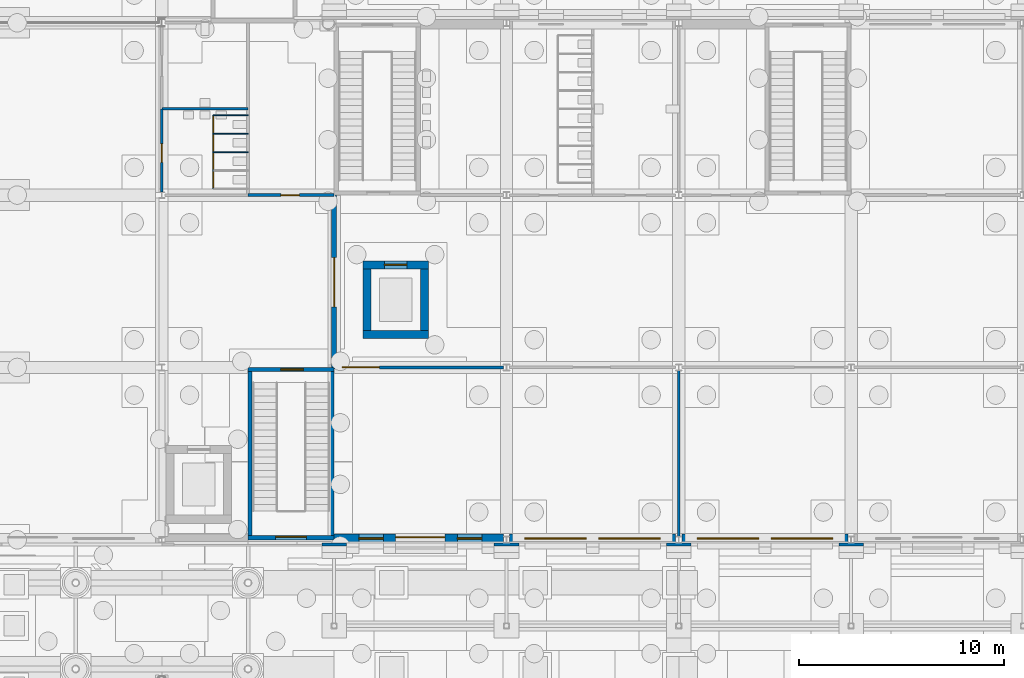
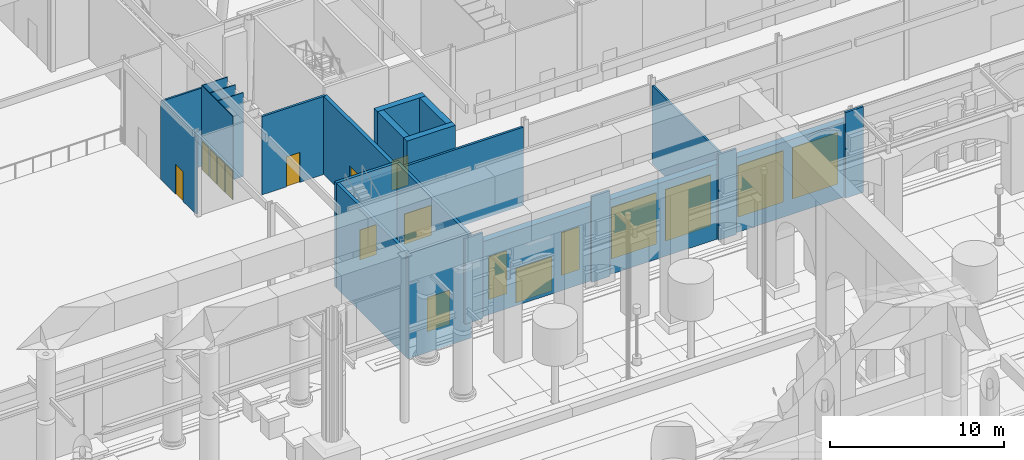
# One storey, part 91 of 222: 25 walls, 12 doors, 6 windows, 18 openings.
"""IFC4 building model written with IfcOpenShell, lengths in metres."""

from ifc_helpers import new_model, si_unit, direction, frame, frame_2d, origin, place, context, subcontext, project, spatial, rectangle, extrude, material, layer, layer_set, type_object, element, fill, save


model = new_model("IFC4")

# Units and contexts
model_context = context("Model", 3, precision=1e-05, world=origin(), true_north=direction((0.0, 1.0)))
body_context = subcontext(model_context, "Body", "Model", "MODEL_VIEW")
ifc_project = project(units=[si_unit("LENGTHUNIT", "METRE"), si_unit("AREAUNIT", "SQUARE_METRE"), si_unit("VOLUMEUNIT", "CUBIC_METRE"), si_unit("PLANEANGLEUNIT", "RADIAN"), si_unit("MASSUNIT", "GRAM", prefix="KILO")], contexts=[model_context])

# Site, building, storey
site_placement = place(None, origin())
site = spatial("IfcSite", under=ifc_project, at=site_placement, CompositionType="ELEMENT")
building_placement = place(site_placement, origin())
building = spatial("IfcBuilding", under=site, at=building_placement, Name="Sava Quay Ferry Terminal", CompositionType="ELEMENT")
storey_placement = place(building_placement, origin())
storey = spatial("IfcBuildingStorey", under=building, at=storey_placement, Name="L00", CompositionType="ELEMENT", Elevation=0.0)

# Wall, opening, door
ifc_material_1 = material(Name="Concrete C30/37", Category="concrete")
ifc_layer_1 = layer(ifc_material_1, 0.25)
ifc_layer_set_1 = layer_set([ifc_layer_1], Name="Concrete C30/37")
wall_type_1 = type_object("IfcWallType", Name="Compartment wall, reinforced concrete 250", PredefinedType="PARTITIONING", material=ifc_layer_set_1)
wall_1_placement = place(storey_placement, frame((84.0, 33.60009765625, 0.0), z_axis=(0.0, 0.0, 1.0), x_axis=(0.0, 1.0, 0.0)))
wall_1 = element("IfcWall", 1, at=wall_1_placement, inside=storey, type_object=wall_type_1, Name="Compartment wall, reinforced concrete 250", PredefinedType="PARTITIONING", context=body_context, shape_type="SweptSolid", body=[
    extrude(rectangle(XDim=8.39990234375, YDim=0.25, at=frame_2d((4.199951171875, 0.0))), origin(), (0.0, 0.0, 1.0), 5.47998046875),
])
opening_1_placement = place(wall_1_placement, frame((2.949951171875, 0.0, 0.0)))
opening_1 = element("IfcOpeningElement", 2, at=opening_1_placement, cuts=wall_1, Name="Opening DP0002", PredefinedType="OPENING", context=body_context, shape_type="SweptSolid", body=[
    extrude(rectangle(XDim=2.39990234375, YDim=2.39990234375, at=frame_2d((1.199951171875, 1.199951171875))), frame((0.0, 0.125, 0.0), z_axis=(0.0, -1.0, 0.0), x_axis=(1.0, 0.0, 0.0)), (0.0, 0.0, 1.0), 0.25),
])
ifc_material_2 = material(Name="Steel fire door set", Category="steel")
door_type_1 = type_object("IfcDoorType", Name="Compartment fire door set EI 90 2400 x 2400", OperationType="NOTDEFINED", PredefinedType="DOOR", material=ifc_material_2)
door_1_placement = place(opening_1_placement, origin())
door_1 = element("IfcDoor", 3, at=door_1_placement, inside=storey, type_object=door_type_1, Name="Door DP0002", OperationType="DOUBLE_DOOR_DOUBLE_SWING", OverallHeight=2.39990234375, OverallWidth=2.39990234375, PredefinedType="DOOR", context=body_context, shape_type="SweptSolid", body=[
    extrude(rectangle(XDim=2.39990234375, YDim=2.39990234375, at=frame_2d((1.199951171875, 1.199951171875))), frame((0.0, 0.02490234375, 0.0), z_axis=(0.0, -1.0, 0.0), x_axis=(1.0, 0.0, 0.0)), (0.0, 0.0, 1.0), 0.050048828125),
])
fill(opening_1, door_1)

# Wall, openings, doors
ifc_material_3 = material(Name="High-pressure laminate panel")
ifc_layer_2 = layer(ifc_material_3, 0.050048828125)
ifc_layer_set_2 = layer_set([ifc_layer_2], Name="High-pressure laminate panel")
wall_type_2 = type_object("IfcWallType", Name="Cubicle partition 50", PredefinedType="PARTITIONING", material=ifc_layer_set_2)
wall_2_placement = place(storey_placement, frame((78.10009765625, 42.300048828125, 0.0), z_axis=(0.0, 0.0, 1.0), x_axis=(0.0, 1.0, 0.0)))
wall_2 = element("IfcWall", 4, at=wall_2_placement, inside=storey, type_object=wall_type_2, Name="Cubicle partition panel", PredefinedType="PARTITIONING", context=body_context, shape_type="SweptSolid", body=[
    extrude(rectangle(XDim=3.599853515625, YDim=0.050048828125, at=frame_2d((1.7998046875, 0.0))), origin(), (0.0, 0.0, 1.0), 5.8701171875),
])
opening_2_placement = place(wall_2_placement, frame((0.050048828125, 0.0, 0.0)))
opening_2 = element("IfcOpeningElement", 5, at=opening_2_placement, cuts=wall_2, Name="Opening CD001", PredefinedType="OPENING", context=body_context, shape_type="SweptSolid", body=[
    extrude(rectangle(XDim=0.800048828125, YDim=2.0, at=frame_2d((0.39990234375, 1.0))), frame((0.0, 0.02490234375, 0.0), z_axis=(0.0, -1.0, 0.0), x_axis=(1.0, 0.0, 0.0)), (0.0, 0.0, 1.0), 0.050048828125),
])
opening_3_placement = place(wall_2_placement, frame((0.949951171875, 0.0, 0.0)))
opening_3 = element("IfcOpeningElement", 6, at=opening_3_placement, cuts=wall_2, Name="Opening CD002", PredefinedType="OPENING", context=body_context, shape_type="SweptSolid", body=[
    extrude(rectangle(XDim=0.800048828125, YDim=2.0, at=frame_2d((0.39990234375, 1.0))), frame((0.0, 0.02490234375, 0.0), z_axis=(0.0, -1.0, 0.0), x_axis=(1.0, 0.0, 0.0)), (0.0, 0.0, 1.0), 0.050048828125),
])
opening_4_placement = place(wall_2_placement, frame((1.85009765625, 0.0, 0.0)))
opening_4 = element("IfcOpeningElement", 7, at=opening_4_placement, cuts=wall_2, Name="Opening CD003", PredefinedType="OPENING", context=body_context, shape_type="SweptSolid", body=[
    extrude(rectangle(XDim=0.800048828125, YDim=2.0, at=frame_2d((0.39990234375, 1.0))), frame((0.0, 0.02490234375, 0.0), z_axis=(0.0, -1.0, 0.0), x_axis=(1.0, 0.0, 0.0)), (0.0, 0.0, 1.0), 0.050048828125),
])
opening_5_placement = place(wall_2_placement, frame((2.75, 0.0, 0.0)))
opening_5 = element("IfcOpeningElement", 8, at=opening_5_placement, cuts=wall_2, Name="Opening CD004", PredefinedType="OPENING", context=body_context, shape_type="SweptSolid", body=[
    extrude(rectangle(XDim=0.800048828125, YDim=2.0, at=frame_2d((0.39990234375, 1.0))), frame((0.0, 0.02490234375, 0.0), z_axis=(0.0, -1.0, 0.0), x_axis=(1.0, 0.0, 0.0)), (0.0, 0.0, 1.0), 0.050048828125),
])
ifc_material_4 = material(Name="Laminate door set")
door_type_2 = type_object("IfcDoorType", Name="Cubicle door 800 x 2000", OperationType="NOTDEFINED", PredefinedType="DOOR", material=ifc_material_4)
door_2_placement = place(opening_2_placement, origin())
door_2 = element("IfcDoor", 9, at=door_2_placement, inside=storey, type_object=door_type_2, Name="Cubicle door", OperationType="SINGLE_SWING_RIGHT", OverallHeight=2.0, OverallWidth=0.800048828125, PredefinedType="DOOR", context=body_context, shape_type="SweptSolid", body=[
    extrude(rectangle(XDim=0.800048828125, YDim=2.0, at=frame_2d((0.39990234375, 1.0))), frame((0.0, 0.02490234375, 0.0), z_axis=(0.0, -1.0, 0.0), x_axis=(1.0, 0.0, 0.0)), (0.0, 0.0, 1.0), 0.049560546875),
])
fill(opening_2, door_2)
door_3_placement = place(opening_3_placement, origin())
door_3 = element("IfcDoor", 10, at=door_3_placement, inside=storey, type_object=door_type_2, Name="Cubicle door", OperationType="SINGLE_SWING_LEFT", OverallHeight=2.0, OverallWidth=0.800048828125, PredefinedType="DOOR", context=body_context, shape_type="SweptSolid", body=[
    extrude(rectangle(XDim=0.800048828125, YDim=2.0, at=frame_2d((0.39990234375, 1.0))), frame((0.0, 0.02490234375, 0.0), z_axis=(0.0, -1.0, 0.0), x_axis=(1.0, 0.0, 0.0)), (0.0, 0.0, 1.0), 0.049560546875),
])
fill(opening_3, door_3)
door_4_placement = place(opening_4_placement, origin())
door_4 = element("IfcDoor", 11, at=door_4_placement, inside=storey, type_object=door_type_2, Name="Cubicle door", OperationType="SINGLE_SWING_RIGHT", OverallHeight=2.0, OverallWidth=0.800048828125, PredefinedType="DOOR", context=body_context, shape_type="SweptSolid", body=[
    extrude(rectangle(XDim=0.800048828125, YDim=2.0, at=frame_2d((0.39990234375, 1.0))), frame((0.0, 0.02490234375, 0.0), z_axis=(0.0, -1.0, 0.0), x_axis=(1.0, 0.0, 0.0)), (0.0, 0.0, 1.0), 0.049560546875),
])
fill(opening_4, door_4)
door_5_placement = place(opening_5_placement, origin())
door_5 = element("IfcDoor", 12, at=door_5_placement, inside=storey, type_object=door_type_2, Name="Cubicle door", OperationType="SINGLE_SWING_LEFT", OverallHeight=2.0, OverallWidth=0.800048828125, PredefinedType="DOOR", context=body_context, shape_type="SweptSolid", body=[
    extrude(rectangle(XDim=0.800048828125, YDim=2.0, at=frame_2d((0.39990234375, 1.0))), frame((0.0, 0.02490234375, 0.0), z_axis=(0.0, -1.0, 0.0), x_axis=(1.0, 0.0, 0.0)), (0.0, 0.0, 1.0), 0.049560546875),
])
fill(opening_5, door_5)

# Walls
for number, where, z_axis, x_axis, name in (
    (13, (79.800048828125, 44.10009765625, 0.0), (0.0, 0.0, 1.0), (-1.0, 0.0, 0.0), "Cubicle partition panel"),
    (14, (79.800048828125, 45.0, 0.0), (0.0, 0.0, 1.0), (-1.0, 0.0, 0.0), "Cubicle partition panel"),
    (15, (79.800048828125, 45.89990234375, 0.0), (0.0, 0.0, 1.0), (-1.0, 0.0, 0.0), "Cubicle partition panel"),
):
    element("IfcWall", number, at=place(storey_placement, frame(where, z_axis=z_axis, x_axis=x_axis)), inside=storey, type_object=wall_type_2, Name=name, PredefinedType="PARTITIONING", context=body_context, shape_type="SweptSolid", body=[
        extrude(rectangle(XDim=1.699951171875, YDim=0.050048828125, at=frame_2d((0.85009765625, 0.0))), origin(), (0.0, 0.0, 1.0), 5.8701171875),
    ])
ifc_material_5 = material(Name="Limestone Mutalj", Category="masonry")
ifc_layer_3 = layer(ifc_material_5, 0.14990234375)
ifc_layer_set_3 = layer_set([ifc_layer_3], Name="Limestone Mutalj")
wall_type_3 = type_object("IfcWallType", Name="Pier cladding 150", PredefinedType="SOLIDWALL", material=ifc_layer_set_3)
wall_3_placement = place(storey_placement, frame((83.39990234375, 24.965087890625, 0.0), z_axis=(0.0, 0.0, 1.0), x_axis=(1.0, 0.0, 0.0)))
element("IfcWall", 16, at=wall_3_placement, inside=storey, type_object=wall_type_3, Name="Pier P-S grid 84", PredefinedType="SOLIDWALL", context=body_context, shape_type="SweptSolid", body=[
    extrude(rectangle(XDim=1.2001953125, YDim=0.14990234375, at=frame_2d((0.60009765625, 0.0))), origin(), (0.0, 0.0, 1.0), 6.0),
])
for number, where, z_axis, x_axis, name in (
    (17, (91.800048828125, 24.965087890625, 0.0), (0.0, 0.0, 1.0), (1.0, 0.0, 0.0), "Pier P-S grid 92.4"),
    (18, (100.199951171875, 24.965087890625, 0.0), (0.0, 0.0, 1.0), (1.0, 0.0, 0.0), "Pier P-S grid 100.8"),
    (19, (108.60009765625, 24.965087890625, 0.0), (0.0, 0.0, 1.0), (1.0, 0.0, 0.0), "Pier P-S grid 109.2"),
):
    element("IfcWall", number, at=place(storey_placement, frame(where, z_axis=z_axis, x_axis=x_axis)), inside=storey, type_object=wall_type_3, Name=name, PredefinedType="SOLIDWALL", context=body_context, shape_type="SweptSolid", body=[
        extrude(rectangle(XDim=1.199951171875, YDim=0.14990234375, at=frame_2d((0.60009765625, 0.0))), origin(), (0.0, 0.0, 1.0), 6.0),
    ])

# Wall, opening, door
ifc_material_6 = material(Name="Masonry blockwork", Category="masonry")
ifc_layer_4 = layer(ifc_material_6, 0.14990234375)
ifc_layer_set_4 = layer_set([ifc_layer_4], Name="Masonry blockwork")
wall_type_4 = type_object("IfcWallType", Name="Plant, store and lobby wall, blockwork 150", PredefinedType="PARTITIONING", material=ifc_layer_set_4)
wall_4_placement = place(storey_placement, frame((79.800048828125, 42.0, 0.0), z_axis=(0.0, 0.0, 1.0), x_axis=(1.0, 0.0, 0.0)))
wall_4 = element("IfcWall", 20, at=wall_4_placement, inside=storey, type_object=wall_type_4, Name="Plant, store and lobby wall, blockwork 150", PredefinedType="PARTITIONING", context=body_context, shape_type="SweptSolid", body=[
    extrude(rectangle(XDim=4.199951171875, YDim=0.14990234375, at=frame_2d((2.10009765625, 0.0))), origin(), (0.0, 0.0, 1.0), 5.47998046875),
])
opening_6_placement = place(wall_4_placement, frame((1.60009765625, 0.0, 0.0)))
opening_6 = element("IfcOpeningElement", 21, at=opening_6_placement, cuts=wall_4, Name="Opening D0004", PredefinedType="OPENING", context=body_context, shape_type="SweptSolid", body=[
    extrude(rectangle(XDim=0.89990234375, YDim=2.10009765625, at=frame_2d((0.449951171875, 1.050048828125))), frame((0.0, 0.074951171875, 0.0), z_axis=(0.0, -1.0, 0.0), x_axis=(1.0, 0.0, 0.0)), (0.0, 0.0, 1.0), 0.14990234375),
])
ifc_material_7 = material(Name="Timber door set", Category="wood")
door_type_3 = type_object("IfcDoorType", Name="Single door 900 x 2100", OperationType="NOTDEFINED", PredefinedType="DOOR", material=ifc_material_7)
door_6_placement = place(opening_6_placement, origin())
door_6 = element("IfcDoor", 22, at=door_6_placement, inside=storey, type_object=door_type_3, Name="Door D0004", OperationType="SINGLE_SWING_LEFT", OverallHeight=2.10009765625, OverallWidth=0.89990234375, PredefinedType="DOOR", context=body_context, shape_type="SweptSolid", body=[
    extrude(rectangle(XDim=0.89990234375, YDim=2.10009765625, at=frame_2d((0.449951171875, 1.050048828125))), frame((0.0, 0.02490234375, 0.0), z_axis=(0.0, -1.0, 0.0), x_axis=(1.0, 0.0, 0.0)), (0.0, 0.0, 1.0), 0.050048828125),
])
fill(opening_6, door_6)

wall_5_placement = place(storey_placement, frame((84.0, 33.60009765625, 0.0), z_axis=(0.0, 0.0, 1.0), x_axis=(1.0, 0.0, 0.0)))
wall_5 = element("IfcWall", 23, at=wall_5_placement, inside=storey, type_object=wall_type_4, Name="Plant, store and lobby wall, blockwork 150", PredefinedType="PARTITIONING", context=body_context, shape_type="SweptSolid", body=[
    extrude(rectangle(XDim=8.25, YDim=0.14990234375, at=frame_2d((4.125, 0.0))), origin(), (0.0, 0.0, 1.0), 5.47998046875),
])
opening_7_placement = place(wall_5_placement, frame((0.39990234375, 0.0, 0.0)))
opening_7 = element("IfcOpeningElement", 24, at=opening_7_placement, cuts=wall_5, Name="Opening D0011", PredefinedType="OPENING", context=body_context, shape_type="SweptSolid", body=[
    extrude(rectangle(XDim=1.800048828125, YDim=2.10009765625, at=frame_2d((0.89990234375, 1.050048828125))), frame((0.0, 0.074951171875, 0.0), z_axis=(0.0, -1.0, 0.0), x_axis=(1.0, 0.0, 0.0)), (0.0, 0.0, 1.0), 0.14990234375),
])
ifc_material_8 = material(Name="Timber door set", Category="wood")
door_type_4 = type_object("IfcDoorType", Name="Double door 1800 x 2100", OperationType="NOTDEFINED", PredefinedType="DOOR", material=ifc_material_8)
door_7_placement = place(opening_7_placement, origin())
door_7 = element("IfcDoor", 25, at=door_7_placement, inside=storey, type_object=door_type_4, Name="Door D0011", OperationType="DOUBLE_DOOR_DOUBLE_SWING", OverallHeight=2.10009765625, OverallWidth=1.800048828125, PredefinedType="DOOR", context=body_context, shape_type="SweptSolid", body=[
    extrude(rectangle(XDim=1.800048828125, YDim=2.10009765625, at=frame_2d((0.89990234375, 1.050048828125))), frame((0.0, 0.02490234375, 0.0), z_axis=(0.0, -1.0, 0.0), x_axis=(1.0, 0.0, 0.0)), (0.0, 0.0, 1.0), 0.050048828125),
])
fill(opening_7, door_7)

ifc_material_9 = material(Name="Concrete C35/45", Category="concrete")
ifc_layer_5 = layer(ifc_material_9, 0.199951171875)
ifc_layer_set_5 = layer_set([ifc_layer_5], Name="Concrete C35/45")
wall_type_5 = type_object("IfcWallType", Name="RC core wall 200", PredefinedType="SHEAR", material=ifc_layer_set_5)
wall_6_placement = place(storey_placement, frame((79.800048828125, 25.300048828125, -1.35009765625), z_axis=(0.0, 0.0, 1.0), x_axis=(1.0, 0.0, 0.0)))
wall_6 = element("IfcWall", 26, at=wall_6_placement, inside=storey, type_object=wall_type_5, Name="Core wall ST-A2 S L00", PredefinedType="SHEAR", context=body_context, shape_type="SweptSolid", body=[
    extrude(rectangle(XDim=4.199951171875, YDim=0.199951171875, at=frame_2d((2.10009765625, 0.0))), origin(), (0.0, 0.0, 1.0), 7.35009765625),
])
opening_8_placement = place(wall_6_placement, frame((1.35009765625, 0.0, 1.35009765625)))
opening_8 = element("IfcOpeningElement", 27, at=opening_8_placement, cuts=wall_6, Name="Opening DX-A5", PredefinedType="OPENING", context=body_context, shape_type="SweptSolid", body=[
    extrude(rectangle(XDim=1.5, YDim=2.39990234375, at=frame_2d((0.75, 1.199951171875))), frame((0.0, 0.10009765625, 0.0), z_axis=(0.0, -1.0, 0.0), x_axis=(1.0, 0.0, 0.0)), (0.0, 0.0, 1.0), 0.199951171875),
])
ifc_material_10 = material(Name="Aluminium bronze anodised, glazing safety laminated", Category="aluminium")
door_type_5 = type_object("IfcDoorType", Name="Exit door 1500x2400", OperationType="DOUBLE_DOOR_SINGLE_SWING", PredefinedType="DOOR", material=ifc_material_10)
door_8_placement = place(opening_8_placement, frame((1.5, 0.050048828125, 0.0), z_axis=(0.0, 0.0, 1.0), x_axis=(-1.0, 0.0, 0.0)))
door_8 = element("IfcDoor", 28, at=door_8_placement, inside=storey, type_object=door_type_5, Name="Door DX-A5", OperationType="DOUBLE_DOOR_SINGLE_SWING", OverallHeight=2.39990234375, OverallWidth=1.5, PredefinedType="DOOR", context=body_context, shape_type="SweptSolid", body=[
    extrude(rectangle(XDim=1.5, YDim=2.39990234375, at=frame_2d((0.75, 1.199951171875))), frame((0.0, 0.02490234375, 0.0), z_axis=(0.0, -1.0, 0.0), x_axis=(1.0, 0.0, 0.0)), (0.0, 0.0, 1.0), 0.050048828125),
])
fill(opening_8, door_8)

wall_7_placement = place(storey_placement, frame((79.800048828125, 33.5, -1.35009765625), z_axis=(0.0, 0.0, 1.0), x_axis=(1.0, 0.0, 0.0)))
wall_7 = element("IfcWall", 29, at=wall_7_placement, inside=storey, type_object=wall_type_5, Name="Core wall ST-A2 N L00", PredefinedType="SHEAR", context=body_context, shape_type="SweptSolid", body=[
    extrude(rectangle(XDim=4.199951171875, YDim=0.199951171875, at=frame_2d((2.10009765625, 0.0))), origin(), (0.0, 0.0, 1.0), 7.35009765625),
])
opening_9_placement = place(wall_7_placement, frame((1.60009765625, 0.0, 1.35009765625)))
opening_9 = element("IfcOpeningElement", 30, at=opening_9_placement, cuts=wall_7, Name="Opening DS0002", PredefinedType="OPENING", context=body_context, shape_type="SweptSolid", body=[
    extrude(rectangle(XDim=1.10009765625, YDim=2.10009765625, at=frame_2d((0.550048828125, 1.050048828125))), frame((0.0, 0.10009765625, 0.0), z_axis=(0.0, -1.0, 0.0), x_axis=(1.0, 0.0, 0.0)), (0.0, 0.0, 1.0), 0.199951171875),
])
ifc_material_11 = material(Name="Steel fire door set", Category="steel")
door_type_6 = type_object("IfcDoorType", Name="Stair fire door 1100 x 2100", OperationType="NOTDEFINED", PredefinedType="DOOR", material=ifc_material_11)
door_9_placement = place(opening_9_placement, origin())
door_9 = element("IfcDoor", 31, at=door_9_placement, inside=storey, type_object=door_type_6, Name="Door DS0002", OperationType="SINGLE_SWING_RIGHT", OverallHeight=2.10009765625, OverallWidth=1.10009765625, PredefinedType="DOOR", context=body_context, shape_type="SweptSolid", body=[
    extrude(rectangle(XDim=1.10009765625, YDim=2.10009765625, at=frame_2d((0.550048828125, 1.050048828125))), frame((0.0, 0.02490234375, 0.0), z_axis=(0.0, -1.0, 0.0), x_axis=(1.0, 0.0, 0.0)), (0.0, 0.0, 1.0), 0.050048828125),
])
fill(opening_9, door_9)

# Walls
for number, where, z_axis, x_axis, name in (
    (32, (79.89990234375, 25.39990234375, -1.35009765625), (0.0, 0.0, 1.0), (0.0, 1.0, 0.0), "Core wall ST-A2 W L00"),
    (33, (83.89990234375, 25.39990234375, -1.35009765625), (0.0, 0.0, 1.0), (0.0, 1.0, 0.0), "Core wall ST-A2 E L00"),
):
    element("IfcWall", number, at=place(storey_placement, frame(where, z_axis=z_axis, x_axis=x_axis)), inside=storey, type_object=wall_type_5, Name=name, PredefinedType="SHEAR", context=body_context, shape_type="SweptSolid", body=[
        extrude(rectangle(XDim=8.0, YDim=0.199951171875, at=frame_2d((4.0, 0.0))), origin(), (0.0, 0.0, 1.0), 7.35009765625),
    ])
ifc_material_12 = material(Name="Concrete C35/45", Category="concrete")
ifc_layer_6 = layer(ifc_material_12, 0.39990234375)
ifc_layer_set_6 = layer_set([ifc_layer_6], Name="Concrete C35/45")
wall_type_6 = type_object("IfcWallType", Name="RC core wall 400", PredefinedType="SHEAR", material=ifc_layer_set_6)
wall_8_placement = place(storey_placement, frame((85.39990234375, 35.199951171875, -1.35009765625), z_axis=(0.0, 0.0, 1.0), x_axis=(1.0, 0.0, 0.0)))
element("IfcWall", 34, at=wall_8_placement, inside=storey, type_object=wall_type_6, Name="Core wall LF-P1 S L00", PredefinedType="SHEAR", context=body_context, shape_type="SweptSolid", body=[
    extrude(rectangle(XDim=3.2001953125, YDim=0.39990234375, at=frame_2d((1.60009765625, 0.0))), origin(), (0.0, 0.0, 1.0), 7.35009765625),
])

# Wall, opening, door
wall_9_placement = place(storey_placement, frame((85.39990234375, 38.60009765625, -1.35009765625), z_axis=(0.0, 0.0, 1.0), x_axis=(1.0, 0.0, 0.0)))
wall_9 = element("IfcWall", 35, at=wall_9_placement, inside=storey, type_object=wall_type_6, Name="Core wall LF-P1 N L00", PredefinedType="SHEAR", context=body_context, shape_type="SweptSolid", body=[
    extrude(rectangle(XDim=3.2001953125, YDim=0.39990234375, at=frame_2d((1.60009765625, 0.0))), origin(), (0.0, 0.0, 1.0), 7.35009765625),
])
opening_10_placement = place(wall_9_placement, frame((1.050048828125, 0.0, 1.35009765625)))
opening_10 = element("IfcOpeningElement", 36, at=opening_10_placement, cuts=wall_9, Name="Opening LD0005", PredefinedType="OPENING", context=body_context, shape_type="SweptSolid", body=[
    extrude(rectangle(XDim=1.10009765625, YDim=2.10009765625, at=frame_2d((0.550048828125, 1.050048828125))), frame((0.0, 0.199951171875, 0.0), z_axis=(0.0, -1.0, 0.0), x_axis=(1.0, 0.0, 0.0)), (0.0, 0.0, 1.0), 0.39990234375),
])
ifc_material_13 = material(Name="Stainless steel", Category="steel")
door_type_7 = type_object("IfcDoorType", Name="Lift landing door 1100 x 2100", OperationType="NOTDEFINED", PredefinedType="DOOR", material=ifc_material_13)
door_10_placement = place(opening_10_placement, origin())
door_10 = element("IfcDoor", 37, at=door_10_placement, inside=storey, type_object=door_type_7, Name="Door LD0005", OperationType="SLIDING_TO_LEFT", OverallHeight=2.10009765625, OverallWidth=1.10009765625, PredefinedType="DOOR", context=body_context, shape_type="SweptSolid", body=[
    extrude(rectangle(XDim=1.10009765625, YDim=2.10009765625, at=frame_2d((0.550048828125, 1.050048828125))), frame((0.0, 0.02490234375, 0.0), z_axis=(0.0, -1.0, 0.0), x_axis=(1.0, 0.0, 0.0)), (0.0, 0.0, 1.0), 0.050048828125),
])
fill(opening_10, door_10)

# Walls
for number, where, z_axis, x_axis, name in (
    (38, (85.60009765625, 35.39990234375, -1.35009765625), (0.0, 0.0, 1.0), (0.0, 1.0, 0.0), "Core wall LF-P1 W L00"),
    (39, (88.39990234375, 35.39990234375, -1.35009765625), (0.0, 0.0, 1.0), (0.0, 1.0, 0.0), "Core wall LF-P1 E L00"),
):
    element("IfcWall", number, at=place(storey_placement, frame(where, z_axis=z_axis, x_axis=x_axis)), inside=storey, type_object=wall_type_6, Name=name, PredefinedType="SHEAR", context=body_context, shape_type="SweptSolid", body=[
        extrude(rectangle(XDim=3.0, YDim=0.39990234375, at=frame_2d((1.5, 0.0))), origin(), (0.0, 0.0, 1.0), 7.35009765625),
    ])
ifc_material_14 = material(Name="Plasterboard on steel studs", Category="steel")
ifc_layer_7 = layer(ifc_material_14, 0.125)
ifc_layer_set_7 = layer_set([ifc_layer_7], Name="Plasterboard on steel studs")
wall_type_7 = type_object("IfcWallType", Name="Room partition, plasterboard on steel studs 125", PredefinedType="PARTITIONING", material=ifc_layer_set_7)
wall_10_placement = place(storey_placement, frame((100.800048828125, 25.360107421875, 0.0), z_axis=(0.0, 0.0, 1.0), x_axis=(0.0, 1.0, 0.0)))
element("IfcWall", 40, at=wall_10_placement, inside=storey, type_object=wall_type_7, Name="Room partition, plasterboard on steel studs 125", PredefinedType="PARTITIONING", context=body_context, shape_type="SweptSolid", body=[
    extrude(rectangle(XDim=8.079833984375, YDim=0.125, at=frame_2d((4.0400390625, 0.0))), origin(), (0.0, 0.0, 1.0), 5.47998046875),
])

# Wall, openings, door, windows
ifc_material_15 = material(Name="Limestone Mutalj", Category="masonry")
ifc_layer_8 = layer(ifc_material_15, 0.449951171875)
ifc_layer_set_8 = layer_set([ifc_layer_8], Name="Limestone Mutalj")
wall_type_8 = type_object("IfcWallType", Name="Rusticated limestone infill 450", PredefinedType="SOLIDWALL", material=ifc_layer_set_8)
wall_11_placement = place(storey_placement, frame((84.0, 25.264892578125, 0.0), z_axis=(0.0, 0.0, 1.0), x_axis=(1.0, 0.0, 0.0)))
wall_11 = element("IfcWall", 41, at=wall_11_placement, inside=storey, type_object=wall_type_8, Name="External wall P-S", PredefinedType="SOLIDWALL", context=body_context, shape_type="SweptSolid", body=[
    extrude(rectangle(XDim=8.25, YDim=0.449951171875, at=frame_2d((4.125, 0.0))), origin(), (0.0, 0.0, 1.0), 5.25),
])
opening_11_placement = place(wall_11_placement, frame((3.0, 0.0, 0.0)))
opening_11 = element("IfcOpeningElement", 42, at=opening_11_placement, cuts=wall_11, Name="Opening DX-P1", PredefinedType="OPENING", context=body_context, shape_type="SweptSolid", body=[
    extrude(rectangle(XDim=2.39990234375, YDim=2.39990234375, at=frame_2d((1.199951171875, 1.199951171875))), frame((0.0, 0.22509765625, 0.0), z_axis=(0.0, -1.0, 0.0), x_axis=(1.0, 0.0, 0.0)), (0.0, 0.0, 1.0), 0.449951171875),
])
opening_12_placement = place(wall_11_placement, frame((1.199951171875, 0.0, 0.89990234375)))
opening_12 = element("IfcOpeningElement", 43, at=opening_12_placement, cuts=wall_11, Name="Opening W-E1", PredefinedType="OPENING", context=body_context, shape_type="SweptSolid", body=[
    extrude(rectangle(XDim=1.199951171875, YDim=3.0, at=frame_2d((0.60009765625, 1.5))), frame((0.0, 0.22509765625, 0.0), z_axis=(0.0, -1.0, 0.0), x_axis=(1.0, 0.0, 0.0)), (0.0, 0.0, 1.0), 0.449951171875),
])
opening_13_placement = place(wall_11_placement, frame((6.0, 0.0, 0.89990234375)))
opening_13 = element("IfcOpeningElement", 44, at=opening_13_placement, cuts=wall_11, Name="Opening W-E1", PredefinedType="OPENING", context=body_context, shape_type="SweptSolid", body=[
    extrude(rectangle(XDim=1.199951171875, YDim=3.0, at=frame_2d((0.60009765625, 1.5))), frame((0.0, 0.22509765625, 0.0), z_axis=(0.0, -1.0, 0.0), x_axis=(1.0, 0.0, 0.0)), (0.0, 0.0, 1.0), 0.449951171875),
])
ifc_material_16 = material(Name="Aluminium bronze anodised, glazing safety laminated", Category="aluminium")
door_type_8 = type_object("IfcDoorType", Name="Entrance double door 2400x2400", OperationType="DOUBLE_DOOR_SINGLE_SWING", PredefinedType="DOOR", material=ifc_material_16)
door_11_placement = place(opening_11_placement, frame((2.39990234375, 0.050048828125, 0.0), z_axis=(0.0, 0.0, 1.0), x_axis=(-1.0, 0.0, 0.0)))
door_11 = element("IfcDoor", 45, at=door_11_placement, inside=storey, type_object=door_type_8, Name="Door DX-P1", OperationType="DOUBLE_DOOR_SINGLE_SWING", OverallHeight=2.39990234375, OverallWidth=2.39990234375, PredefinedType="DOOR", context=body_context, shape_type="SweptSolid", body=[
    extrude(rectangle(XDim=2.39990234375, YDim=2.39990234375, at=frame_2d((1.199951171875, 1.199951171875))), frame((0.0, 0.02490234375, 0.0), z_axis=(0.0, -1.0, 0.0), x_axis=(1.0, 0.0, 0.0)), (0.0, 0.0, 1.0), 0.050048828125),
])
fill(opening_11, door_11)
ifc_material_17 = material(Name="Aluminium bronze anodised frame, glazing double low-e Ug 1.1", Category="aluminium")
window_type_1 = type_object("IfcWindowType", Name="Entrance sidelight 1200x3000", PartitioningType="SINGLE_PANEL", PredefinedType="WINDOW", material=ifc_material_17)
window_1_placement = place(opening_12_placement, origin())
window_1 = element("IfcWindow", 46, at=window_1_placement, inside=storey, type_object=window_type_1, Name="Window W-E1", OverallHeight=3.0, OverallWidth=1.199951171875, PartitioningType="SINGLE_PANEL", PredefinedType="WINDOW", context=body_context, shape_type="SweptSolid", body=[
    extrude(rectangle(XDim=1.199951171875, YDim=3.0, at=frame_2d((0.60009765625, 1.5))), frame((0.0, 0.030029296875, 0.0), z_axis=(0.0, -1.0, 0.0), x_axis=(1.0, 0.0, 0.0)), (0.0, 0.0, 1.0), 0.06005859375),
])
fill(opening_12, window_1)
window_2_placement = place(opening_13_placement, origin())
window_2 = element("IfcWindow", 47, at=window_2_placement, inside=storey, type_object=window_type_1, Name="Window W-E1", OverallHeight=3.0, OverallWidth=1.199951171875, PartitioningType="SINGLE_PANEL", PredefinedType="WINDOW", context=body_context, shape_type="SweptSolid", body=[
    extrude(rectangle(XDim=1.199951171875, YDim=3.0, at=frame_2d((0.60009765625, 1.5))), frame((0.0, 0.030029296875, 0.0), z_axis=(0.0, -1.0, 0.0), x_axis=(1.0, 0.0, 0.0)), (0.0, 0.0, 1.0), 0.06005859375),
])
fill(opening_13, window_2)

# Wall, openings, windows
wall_12_placement = place(storey_placement, frame((92.550048828125, 25.264892578125, 0.0), z_axis=(0.0, 0.0, 1.0), x_axis=(1.0, 0.0, 0.0)))
wall_12 = element("IfcWall", 48, at=wall_12_placement, inside=storey, type_object=wall_type_8, Name="External wall P-S", PredefinedType="SOLIDWALL", context=body_context, shape_type="SweptSolid", body=[
    extrude(rectangle(XDim=8.099853515625, YDim=0.449951171875, at=frame_2d((4.0498046875, 0.0))), origin(), (0.0, 0.0, 1.0), 5.25),
])
opening_14_placement = place(wall_12_placement, frame((0.75, 0.0, 0.89990234375)))
opening_14 = element("IfcOpeningElement", 49, at=opening_14_placement, cuts=wall_12, Name="Opening W-A", PredefinedType="OPENING", context=body_context, shape_type="SweptSolid", body=[
    extrude(rectangle(XDim=3.0, YDim=3.60009765625, at=frame_2d((1.5, 1.800048828125))), frame((0.0, 0.22509765625, 0.0), z_axis=(0.0, -1.0, 0.0), x_axis=(1.0, 0.0, 0.0)), (0.0, 0.0, 1.0), 0.449951171875),
])
opening_15_placement = place(wall_12_placement, frame((4.35009765625, 0.0, 0.89990234375)))
opening_15 = element("IfcOpeningElement", 50, at=opening_15_placement, cuts=wall_12, Name="Opening W-A", PredefinedType="OPENING", context=body_context, shape_type="SweptSolid", body=[
    extrude(rectangle(XDim=3.0, YDim=3.60009765625, at=frame_2d((1.5, 1.800048828125))), frame((0.0, 0.22509765625, 0.0), z_axis=(0.0, -1.0, 0.0), x_axis=(1.0, 0.0, 0.0)), (0.0, 0.0, 1.0), 0.449951171875),
])
ifc_material_18 = material(Name="Aluminium bronze anodised frame, glazing double low-e Ug 1.1", Category="aluminium")
window_type_2 = type_object("IfcWindowType", Name="Tall ordered window 3000x3600", PartitioningType="SINGLE_PANEL", PredefinedType="WINDOW", material=ifc_material_18)
window_3_placement = place(opening_14_placement, origin())
window_3 = element("IfcWindow", 51, at=window_3_placement, inside=storey, type_object=window_type_2, Name="Window W-A", OverallHeight=3.60009765625, OverallWidth=3.0, PartitioningType="SINGLE_PANEL", PredefinedType="WINDOW", context=body_context, shape_type="SweptSolid", body=[
    extrude(rectangle(XDim=3.0, YDim=3.60009765625, at=frame_2d((1.5, 1.800048828125))), frame((0.0, 0.030029296875, 0.0), z_axis=(0.0, -1.0, 0.0), x_axis=(1.0, 0.0, 0.0)), (0.0, 0.0, 1.0), 0.06005859375),
])
fill(opening_14, window_3)
window_4_placement = place(opening_15_placement, origin())
window_4 = element("IfcWindow", 52, at=window_4_placement, inside=storey, type_object=window_type_2, Name="Window W-A", OverallHeight=3.60009765625, OverallWidth=3.0, PartitioningType="SINGLE_PANEL", PredefinedType="WINDOW", context=body_context, shape_type="SweptSolid", body=[
    extrude(rectangle(XDim=3.0, YDim=3.60009765625, at=frame_2d((1.5, 1.800048828125))), frame((0.0, 0.030029296875, 0.0), z_axis=(0.0, -1.0, 0.0), x_axis=(1.0, 0.0, 0.0)), (0.0, 0.0, 1.0), 0.06005859375),
])
fill(opening_15, window_4)

wall_13_placement = place(storey_placement, frame((100.949951171875, 25.264892578125, 0.0), z_axis=(0.0, 0.0, 1.0), x_axis=(1.0, 0.0, 0.0)))
wall_13 = element("IfcWall", 53, at=wall_13_placement, inside=storey, type_object=wall_type_8, Name="External wall P-S", PredefinedType="SOLIDWALL", context=body_context, shape_type="SweptSolid", body=[
    extrude(rectangle(XDim=8.10009765625, YDim=0.449951171875, at=frame_2d((4.050048828125, 0.0))), origin(), (0.0, 0.0, 1.0), 5.25),
])
opening_16_placement = place(wall_13_placement, frame((0.75, 0.0, 0.89990234375)))
opening_16 = element("IfcOpeningElement", 54, at=opening_16_placement, cuts=wall_13, Name="Opening W-A", PredefinedType="OPENING", context=body_context, shape_type="SweptSolid", body=[
    extrude(rectangle(XDim=3.0, YDim=3.60009765625, at=frame_2d((1.5, 1.800048828125))), frame((0.0, 0.22509765625, 0.0), z_axis=(0.0, -1.0, 0.0), x_axis=(1.0, 0.0, 0.0)), (0.0, 0.0, 1.0), 0.449951171875),
])
opening_17_placement = place(wall_13_placement, frame((4.35009765625, 0.0, 0.89990234375)))
opening_17 = element("IfcOpeningElement", 55, at=opening_17_placement, cuts=wall_13, Name="Opening W-A", PredefinedType="OPENING", context=body_context, shape_type="SweptSolid", body=[
    extrude(rectangle(XDim=3.0, YDim=3.60009765625, at=frame_2d((1.5, 1.800048828125))), frame((0.0, 0.22509765625, 0.0), z_axis=(0.0, -1.0, 0.0), x_axis=(1.0, 0.0, 0.0)), (0.0, 0.0, 1.0), 0.449951171875),
])
window_5_placement = place(opening_16_placement, origin())
window_5 = element("IfcWindow", 56, at=window_5_placement, inside=storey, type_object=window_type_2, Name="Window W-A", OverallHeight=3.60009765625, OverallWidth=3.0, PartitioningType="SINGLE_PANEL", PredefinedType="WINDOW", context=body_context, shape_type="SweptSolid", body=[
    extrude(rectangle(XDim=3.0, YDim=3.60009765625, at=frame_2d((1.5, 1.800048828125))), frame((0.0, 0.030029296875, 0.0), z_axis=(0.0, -1.0, 0.0), x_axis=(1.0, 0.0, 0.0)), (0.0, 0.0, 1.0), 0.06005859375),
])
fill(opening_16, window_5)
window_6_placement = place(opening_17_placement, origin())
window_6 = element("IfcWindow", 57, at=window_6_placement, inside=storey, type_object=window_type_2, Name="Window W-A", OverallHeight=3.60009765625, OverallWidth=3.0, PartitioningType="SINGLE_PANEL", PredefinedType="WINDOW", context=body_context, shape_type="SweptSolid", body=[
    extrude(rectangle(XDim=3.0, YDim=3.60009765625, at=frame_2d((1.5, 1.800048828125))), frame((0.0, 0.030029296875, 0.0), z_axis=(0.0, -1.0, 0.0), x_axis=(1.0, 0.0, 0.0)), (0.0, 0.0, 1.0), 0.06005859375),
])
fill(opening_17, window_6)

# Wall, opening, door
ifc_material_19 = material(Name="Moisture-resistant board on steel studs", Category="steel")
ifc_layer_9 = layer(ifc_material_19, 0.125)
ifc_layer_set_9 = layer_set([ifc_layer_9], Name="Moisture-resistant board on steel studs")
wall_type_9 = type_object("IfcWallType", Name="Toilet partition, moisture-resistant board 125", PredefinedType="PARTITIONING", material=ifc_layer_set_9)
wall_14_placement = place(storey_placement, frame((75.60009765625, 42.14990234375, 0.0), z_axis=(0.0, 0.0, 1.0), x_axis=(0.0, 1.0, 0.0)))
wall_14 = element("IfcWall", 58, at=wall_14_placement, inside=storey, type_object=wall_type_9, Name="Toilet partition, moisture-resistant board 125", PredefinedType="PARTITIONING", context=body_context, shape_type="SweptSolid", body=[
    extrude(rectangle(XDim=4.050048828125, YDim=0.125, at=frame_2d((2.02490234375, 0.0))), origin(), (0.0, 0.0, 1.0), 5.47998046875),
])
opening_18_placement = place(wall_14_placement, frame((1.449951171875, 0.0, 0.0)))
opening_18 = element("IfcOpeningElement", 59, at=opening_18_placement, cuts=wall_14, Name="Opening D0002", PredefinedType="OPENING", context=body_context, shape_type="SweptSolid", body=[
    extrude(rectangle(XDim=0.89990234375, YDim=2.10009765625, at=frame_2d((0.449951171875, 1.050048828125))), frame((0.0, 0.0625, 0.0), z_axis=(0.0, -1.0, 0.0), x_axis=(1.0, 0.0, 0.0)), (0.0, 0.0, 1.0), 0.125),
])
ifc_material_20 = material(Name="Laminate door set")
door_type_9 = type_object("IfcDoorType", Name="Toilet door 900 x 2100", OperationType="NOTDEFINED", PredefinedType="DOOR", material=ifc_material_20)
door_12_placement = place(opening_18_placement, origin())
door_12 = element("IfcDoor", 60, at=door_12_placement, inside=storey, type_object=door_type_9, Name="Door D0002", OperationType="SINGLE_SWING_LEFT", OverallHeight=2.10009765625, OverallWidth=0.89990234375, PredefinedType="DOOR", context=body_context, shape_type="SweptSolid", body=[
    extrude(rectangle(XDim=0.89990234375, YDim=2.10009765625, at=frame_2d((0.449951171875, 1.050048828125))), frame((0.0, 0.02490234375, 0.0), z_axis=(0.0, -1.0, 0.0), x_axis=(1.0, 0.0, 0.0)), (0.0, 0.0, 1.0), 0.050048828125),
])
fill(opening_18, door_12)

# Wall
wall_15_placement = place(storey_placement, frame((75.60009765625, 46.199951171875, 0.0), z_axis=(0.0, 0.0, 1.0), x_axis=(1.0, 0.0, 0.0)))
element("IfcWall", 61, at=wall_15_placement, inside=storey, type_object=wall_type_9, Name="Toilet partition, moisture-resistant board 125", PredefinedType="PARTITIONING", context=body_context, shape_type="SweptSolid", body=[
    extrude(rectangle(XDim=4.199951171875, YDim=0.125, at=frame_2d((2.10009765625, 0.0))), origin(), (0.0, 0.0, 1.0), 5.47998046875),
])

save(model, "model.ifc")
